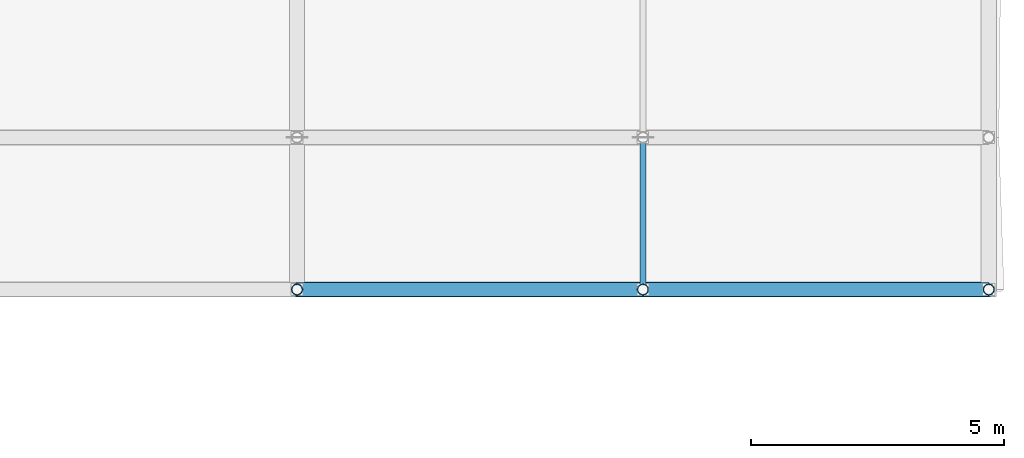
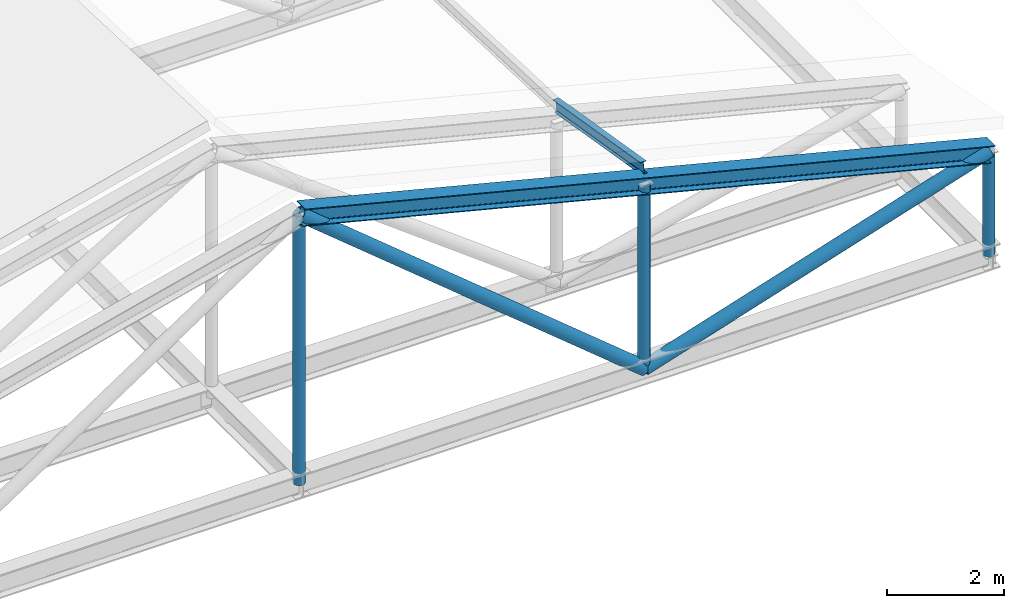
# One storey, part 27 of 56: 7 members.
"""IFC4 building model written with IfcOpenShell, lengths in metres."""

from ifc_helpers import new_model, si_unit, direction, frame, origin, origin_2d, place, context, subcontext, project, spatial, hollow_circle, i_section, extrude, material, material_profile, profile_set, type_object, element, save


model = new_model("IFC4")

# Units and contexts
model_context = context("Model", 3, precision=1e-05, world=origin(), true_north=direction((0.0, 1.0)))
body_context = subcontext(model_context, "Body", "Model", "MODEL_VIEW")
ifc_project = project(units=[si_unit("LENGTHUNIT", "METRE"), si_unit("AREAUNIT", "SQUARE_METRE"), si_unit("VOLUMEUNIT", "CUBIC_METRE"), si_unit("PLANEANGLEUNIT", "RADIAN"), si_unit("MASSUNIT", "GRAM", prefix="KILO")], contexts=[model_context])

# Site, building, storey
site_placement = place(None, origin())
site = spatial("IfcSite", under=ifc_project, at=site_placement, CompositionType="ELEMENT")
building_placement = place(site_placement, origin())
building = spatial("IfcBuilding", under=site, at=building_placement, Name="Bozkorgan Art Gallery", CompositionType="ELEMENT")
storey_placement = place(building_placement, frame((0.0, 0.0, 24.0)))
storey = spatial("IfcBuildingStorey", under=building, at=storey_placement, Name="L05", CompositionType="ELEMENT", Elevation=24.0)

# Members
ifc_material = material(Name="Steel S355J2", Category="steel")
ifc_material_profile_1 = material_profile(ifc_material, hollow_circle(Radius=0.109619140625, WallThickness=0.010009765625, at=origin_2d()), Name="CHS 219.1x10")
ifc_profile_set_1 = profile_set([ifc_material_profile_1], Name="Steel S355J2")
member_type_1 = type_object("IfcMemberType", Name="MEMBER-PO-77", PredefinedType="POST", material=ifc_profile_set_1)
member_1_placement = place(storey_placement, frame((150.5, 63.0, 0.25), z_axis=(0.0, 0.0, 1.0), x_axis=(1.0, 0.0, 0.0)))
element("IfcMember", 1, at=member_1_placement, inside=storey, type_object=member_type_1, Name="ROOF-V5-MAIN roof truss 1 post 3", PredefinedType="POST", context=body_context, shape_type="SweptSolid", body=[
    extrude(hollow_circle(Radius=0.109619140625, WallThickness=0.010009765625, at=origin_2d()), origin(), (0.0, 0.0, 1.0), 5.61767578125),
])
member_2_placement = place(storey_placement, frame((157.324951171875, 63.0, 0.25), z_axis=(0.0, 0.0, 1.0), x_axis=(1.0, 0.0, 0.0)))
element("IfcMember", 2, at=member_2_placement, inside=storey, type_object=member_type_1, Name="ROOF-V5-MAIN roof truss 1 post 4", PredefinedType="POST", context=body_context, shape_type="SweptSolid", body=[
    extrude(hollow_circle(Radius=0.109619140625, WallThickness=0.010009765625, at=origin_2d()), origin(), (0.0, 0.0, 1.0), 3.890625),
])
member_3_placement = place(storey_placement, frame((164.14990234375, 63.0, 0.25), z_axis=(0.0, 0.0, 1.0), x_axis=(1.0, 0.0, 0.0)))
element("IfcMember", 3, at=member_3_placement, inside=storey, type_object=member_type_1, Name="ROOF-V5-MAIN roof truss 1 post 5", PredefinedType="POST", context=body_context, shape_type="SweptSolid", body=[
    extrude(hollow_circle(Radius=0.109619140625, WallThickness=0.010009765625, at=origin_2d()), origin(), (0.0, 0.0, 1.0), 2.163818359375),
])
ifc_material_profile_2 = material_profile(ifc_material, i_section(OverallWidth=0.1201171875, OverallDepth=0.239990234375, WebThickness=0.006103515625, FlangeThickness=0.009765625, FilletRadius=0.014892578125, at=origin_2d()), Name="IPE 240")
ifc_profile_set_2 = profile_set([ifc_material_profile_2], Name="Steel S355J2")
member_type_2 = type_object("IfcMemberType", Name="MEMBER-PR-34", PredefinedType="PURLIN", material=ifc_profile_set_2)
member_4_placement = place(storey_placement, frame((157.324951171875, 63.0, 4.435791015625), z_axis=(0.0, 0.986302660138, -0.164945635301), x_axis=(-1.0, 0.0, 0.0)))
element("IfcMember", 4, at=member_4_placement, inside=storey, type_object=member_type_2, Name="ROOF-V5-MAIN roof purlin 1E", PredefinedType="PURLIN", context=body_context, shape_type="SweptSolid", body=[
    extrude(i_section(OverallWidth=0.1201171875, OverallDepth=0.239990234375, WebThickness=0.006103515625, FlangeThickness=0.009765625, FilletRadius=0.014892578125, at=origin_2d()), origin(), (0.0, 0.0, 1.0), 3.041748046875),
])
ifc_material_profile_3 = material_profile(ifc_material, i_section(OverallWidth=0.300048828125, OverallDepth=0.35009765625, WebThickness=0.010009765625, FlangeThickness=0.017578125, FilletRadius=0.027099609375, at=origin_2d()), Name="HEA 360")
ifc_profile_set_3 = profile_set([ifc_material_profile_3], Name="Steel S355J2")
member_type_3 = type_object("IfcMemberType", Name="MEMBER-TC-31", PredefinedType="CHORD", material=ifc_profile_set_3)
member_5_placement = place(storey_placement, frame((150.5, 63.0, 5.86767578125), z_axis=(0.969447019705, 0.0, -0.24530078676), x_axis=(0.0, 1.0, 0.0)))
element("IfcMember", 5, at=member_5_placement, inside=storey, type_object=member_type_3, Name="ROOF-V5-MAIN roof truss 1 east top chord", PredefinedType="CHORD", context=body_context, shape_type="SweptSolid", body=[
    extrude(i_section(OverallWidth=0.300048828125, OverallDepth=0.35009765625, WebThickness=0.010009765625, FlangeThickness=0.017578125, FilletRadius=0.027099609375, at=origin_2d()), origin(), (0.0, 0.0, 1.0), 14.080078125),
])
ifc_material_profile_4 = material_profile(ifc_material, hollow_circle(Radius=0.136474609375, WallThickness=0.012451171875, at=origin_2d()), Name="CHS 273x12.5")
ifc_profile_set_4 = profile_set([ifc_material_profile_4], Name="Steel S355J2")
member_type_4 = type_object("IfcMemberType", Name="MEMBER-TW-28", PredefinedType="BRACE", material=ifc_profile_set_4)
member_6_placement = place(storey_placement, frame((150.5, 63.0, 5.86767578125), z_axis=(0.772089661339, 0.0, -0.635513615003), x_axis=(0.0, 1.0, 0.0)))
element("IfcMember", 6, at=member_6_placement, inside=storey, type_object=member_type_4, Name="ROOF-V5-MAIN roof truss 1 diagonal 4", PredefinedType="BRACE", context=body_context, shape_type="SweptSolid", body=[
    extrude(hollow_circle(Radius=0.136474609375, WallThickness=0.012451171875, at=origin_2d()), origin(), (0.0, 0.0, 1.0), 8.839599609375),
])
member_7_placement = place(storey_placement, frame((157.324951171875, 63.0, 0.25), z_axis=(0.953238305066, 0.0, 0.302219677975), x_axis=(0.0, 1.0, 0.0)))
element("IfcMember", 7, at=member_7_placement, inside=storey, type_object=member_type_4, Name="ROOF-V5-MAIN roof truss 1 diagonal 5", PredefinedType="BRACE", context=body_context, shape_type="SweptSolid", body=[
    extrude(hollow_circle(Radius=0.136474609375, WallThickness=0.012451171875, at=origin_2d()), origin(), (0.0, 0.0, 1.0), 7.15966796875),
])

save(model, "model.ifc")
